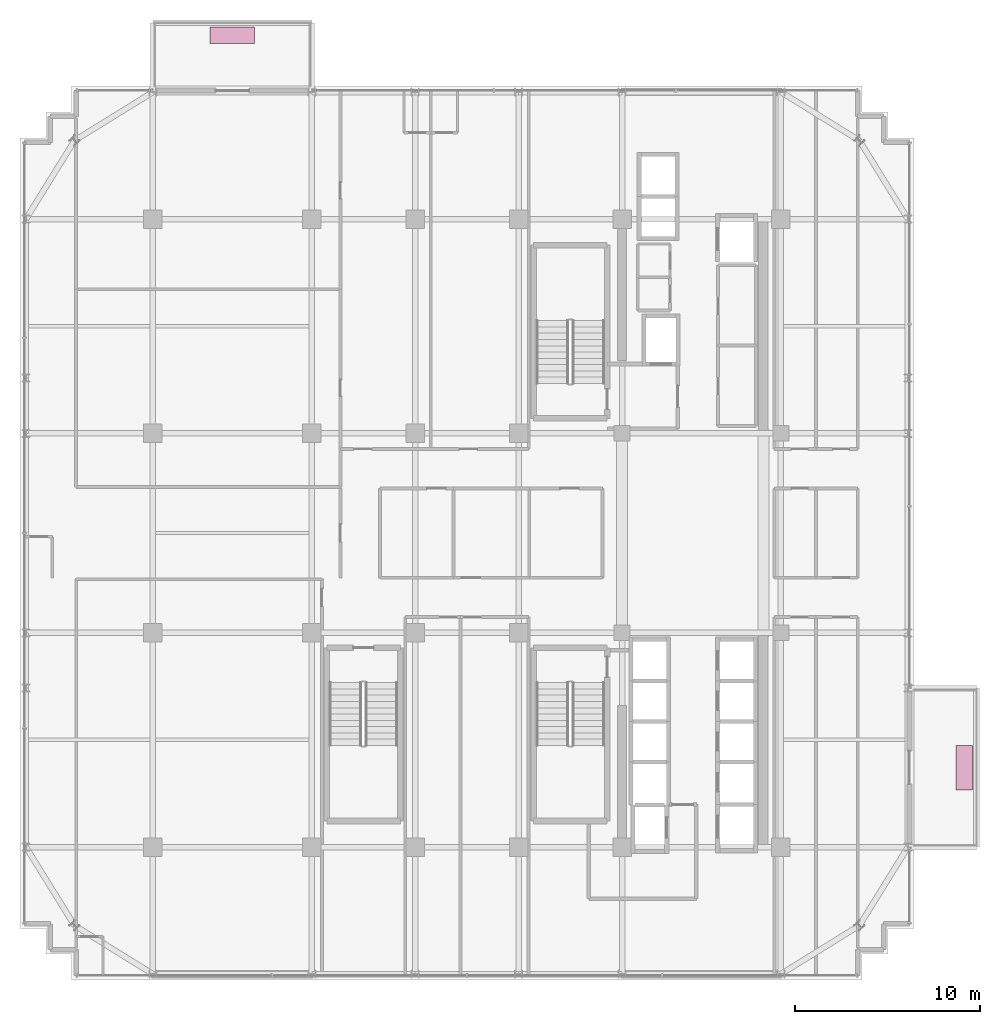
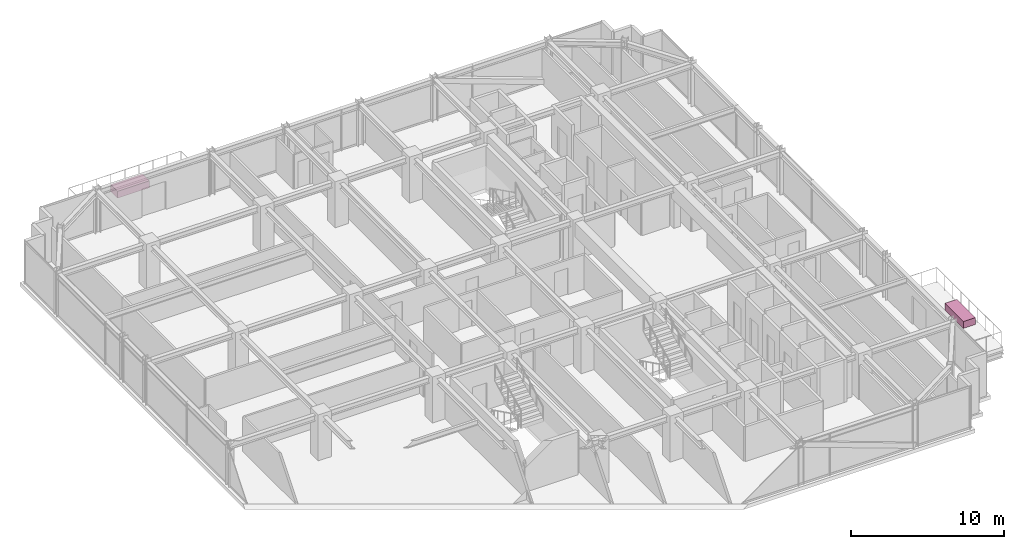
# One storey, part 36 of 36: 2 furnishings.
"""IFC4 building model written with IfcOpenShell, lengths in metres."""

import ifcopenshell
import ifcopenshell.guid

model = None  # the IFC model being written
_history = None  # IfcOwnerHistory: only IFC2X3 demands one
_inside = {}  # id of a spatial element -> (the spatial element, [elements in it])
_under = {}  # id of a project, library or spatial element -> (it, [spatial elements below it])
_declared = {}  # id of a project -> (the project, [libraries it declares])
_typed = {}  # id of a type object -> (the type object, [elements of that type])
_made_of = {}  # id of a material, layer set ... -> (it, [elements and type objects made of it])


def new_model(schema):
    """Start an empty IFC model of exactly this schema.

    Asked for "IFC4X3", IfcOpenShell would pick the latest addendum, in which some entities
    have other attributes; the version numbers below select the first issue.
    IFC2X3 requires an IfcOwnerHistory on every rooted entity: one is made here for all.
    """
    global model, _history
    if schema == "IFC4X3":
        model = ifcopenshell.file(schema_version=(4, 3, 0, 0))
    else:
        model = ifcopenshell.file(schema=schema)
    _inside.clear()
    _under.clear()
    _declared.clear()
    _typed.clear()
    _made_of.clear()
    _history = None
    if model.schema == "IFC2X3":
        org = make("IfcOrganization", Name="unknown")
        user = make(
            "IfcPersonAndOrganization",
            ThePerson=make("IfcPerson", FamilyName="unknown"),
            TheOrganization=org,
        )
        app = make(
            "IfcApplication",
            ApplicationDeveloper=org,
            Version="unknown",
            ApplicationFullName="unknown",
            ApplicationIdentifier="unknown",
        )
        _history = make(
            "IfcOwnerHistory",
            OwningUser=user,
            OwningApplication=app,
            ChangeAction="ADDED",
            CreationDate=0,
        )
    return model


def make(cls, **values):
    """One entity of the class cls with the attributes given. An attribute that is None is left unset."""
    return model.create_entity(
        cls, **{name: value for name, value in values.items() if value is not None}
    )


def rooted(cls, **values):
    """An entity with a GlobalId (a new one), such as an element, a storey or a relation."""
    return make(cls, GlobalId=ifcopenshell.guid.new(), OwnerHistory=_history, **values)


def si_unit(unit_type, name, prefix=None):
    """IfcSIUnit, for example si_unit("LENGTHUNIT", "METRE", prefix="MILLI")."""
    return make("IfcSIUnit", UnitType=unit_type, Prefix=prefix, Name=name)


def assignment(units):
    """IfcUnitAssignment: the units of a project."""
    return None if units is None else make("IfcUnitAssignment", Units=units)


def point(xyz):
    """IfcCartesianPoint."""
    return None if xyz is None else make("IfcCartesianPoint", Coordinates=xyz)


def direction(xyz):
    """IfcDirection."""
    return None if xyz is None else make("IfcDirection", DirectionRatios=xyz)


def frame(location, z_axis=None, x_axis=None):
    """IfcAxis2Placement3D, a coordinate frame: its origin and axes. An axis left out is left unset."""
    return make(
        "IfcAxis2Placement3D",
        Location=point(location),
        Axis=direction(z_axis),
        RefDirection=direction(x_axis),
    )


def frame_2d(location, x_axis=None):
    """IfcAxis2Placement2D, a coordinate frame in the plane: its origin and x axis."""
    return make(
        "IfcAxis2Placement2D", Location=point(location), RefDirection=direction(x_axis)
    )


def origin():
    """The frame at (0, 0, 0) with its axes left unset."""
    return frame((0.0, 0.0, 0.0))


def origin_2d():
    """The frame at (0, 0) in the plane with its x axis left unset."""
    return frame_2d((0.0, 0.0))


def place(relative_to, where):
    """IfcLocalPlacement: puts the frame where relative to a parent placement (None: the world)."""
    return make(
        "IfcLocalPlacement", PlacementRelTo=relative_to, RelativePlacement=where
    )


def context(
    kind, dimensions, precision=None, world=None, true_north=None, identifier=None
):
    """IfcGeometricRepresentationContext, for example the 3D "Model" context."""
    return make(
        "IfcGeometricRepresentationContext",
        ContextIdentifier=identifier,
        ContextType=kind,
        CoordinateSpaceDimension=dimensions,
        Precision=precision,
        WorldCoordinateSystem=world,
        TrueNorth=true_north,
    )


def subcontext(parent, identifier, kind, view, scale=None):
    """IfcGeometricRepresentationSubContext, for example "Body" below "Model"."""
    return make(
        "IfcGeometricRepresentationSubContext",
        ContextIdentifier=identifier,
        ContextType=kind,
        ParentContext=parent,
        TargetScale=scale,
        TargetView=view,
    )


def project(units=None, contexts=None):
    """IfcProject with its units and contexts."""
    return rooted(
        "IfcProject",
        Name="project",
        RepresentationContexts=contexts,
        UnitsInContext=assignment(units),
    )


def spatial(cls, under=None, at=None, **own):
    """A site, building, storey or space (cls), placed at a placement, below another one or the project."""
    s = rooted(cls, ObjectPlacement=at, **own)
    if under is not None:
        _under.setdefault(under.id(), (under, []))[1].append(s)
    return s


def profile(cls, at=None, kind="AREA", **sizes):
    """A parametric profile (cls). Its sizes go by their IFC names, for example OverallWidth=200.0."""
    return make(cls, ProfileType=kind, Position=at, **sizes)


def rectangle(**sizes):
    """IfcRectangleProfileDef."""
    return profile("IfcRectangleProfileDef", **sizes)


def extrude(swept, where, along, depth):
    """IfcExtrudedAreaSolid: the profile swept, set in the frame where, extruded along a direction by depth."""
    return make(
        "IfcExtrudedAreaSolid",
        SweptArea=swept,
        Position=where,
        ExtrudedDirection=direction(along),
        Depth=depth,
    )


def shape(context_of_items, identifier, shape_type, items):
    """IfcShapeRepresentation: the items that make up one representation, for example the "Body"."""
    return make(
        "IfcShapeRepresentation",
        ContextOfItems=context_of_items,
        RepresentationIdentifier=identifier,
        RepresentationType=shape_type,
        Items=items,
    )


def source(mapping_origin, context_of_items, identifier, shape_type, items):
    """IfcRepresentationMap: a shape defined once, which mapped items show again and again."""
    return make(
        "IfcRepresentationMap",
        MappingOrigin=mapping_origin,
        MappedRepresentation=shape(context_of_items, identifier, shape_type, items),
    )


def transform(
    local_origin,
    x_axis=None,
    y_axis=None,
    z_axis=None,
    scale=None,
    scale2=None,
    scale3=None,
    uniform=True,
):
    """IfcCartesianTransformationOperator3D, or its non-uniform kind. x_axis, y_axis, z_axis: its Axis1, 2, 3."""
    if uniform:
        return make(
            "IfcCartesianTransformationOperator3D",
            Axis1=direction(x_axis),
            Axis2=direction(y_axis),
            LocalOrigin=point(local_origin),
            Scale=scale,
            Axis3=direction(z_axis),
        )
    return make(
        "IfcCartesianTransformationOperator3DnonUniform",
        Axis1=direction(x_axis),
        Axis2=direction(y_axis),
        LocalOrigin=point(local_origin),
        Scale=scale,
        Axis3=direction(z_axis),
        Scale2=scale2,
        Scale3=scale3,
    )


def mapped(mapping_source, mapping_target):
    """IfcMappedItem: shows the shape of a source again, moved by a transform."""
    return make(
        "IfcMappedItem", MappingSource=mapping_source, MappingTarget=mapping_target
    )


def material(Name=None, Category=None):
    """IfcMaterial."""
    return make("IfcMaterial", Name=Name, Category=Category)


def made_of(thing, what):
    """Note that an element or type object is made of a material, layer set ...; save() writes the relation."""
    if what is not None:
        _made_of.setdefault(what.id(), (what, []))[1].append(thing)
    return thing


def type_object(cls, material=None, **own):
    """A type object (cls), such as IfcWallType, which elements share."""
    return made_of(rooted(cls, **own), material)


def element(
    cls,
    number,
    at=None,
    inside=None,
    cuts=None,
    type_object=None,
    material=None,
    context=None,
    identifier="Body",
    shape_type=None,
    held_by="IfcProductDefinitionShape",
    body=None,
    shapes=None,
    **own,
):
    """One element of the class cls, such as IfcWall. Its Tag is "e" and its number.

    at: its placement. inside: the storey or other place that contains it. cuts: it is an
    opening in that element (IfcRelVoidsElement). A single representation is given by context,
    identifier, shape_type and body (its items); several are given by shapes. held_by: the class
    of the entity that holds the representations. save() writes the other relations.
    """
    e = rooted(cls, Tag="e%d" % number, ObjectPlacement=at, **own)
    if body is not None:
        shapes = [shape(context, identifier, shape_type, body)]
    if shapes is not None:
        e.Representation = make(held_by, Representations=shapes)
    if inside is not None:
        _inside.setdefault(inside.id(), (inside, []))[1].append(e)
    if cuts is not None:
        rooted(
            "IfcRelVoidsElement", RelatingBuildingElement=cuts, RelatedOpeningElement=e
        )
    if type_object is not None:
        _typed.setdefault(type_object.id(), (type_object, []))[1].append(e)
    return made_of(e, material)


def aggregate(whole, parts):
    """IfcRelAggregates: a whole, such as a stair, and the parts it consists of."""
    return rooted("IfcRelAggregates", RelatingObject=whole, RelatedObjects=parts)


def save(model, path):
    """Write the relations noted so far, then the file.

    IfcRelAggregates (storeys below a building ...), IfcRelContainedInSpatialStructure (elements
    in a storey), IfcRelDefinesByType, IfcRelAssociatesMaterial and IfcRelDeclares: one each for
    every whole, place, type object, material and project.
    """
    for whole, parts in _under.values():
        aggregate(whole, parts)
    for where, things in _inside.values():
        rooted(
            "IfcRelContainedInSpatialStructure",
            RelatedElements=things,
            RelatingStructure=where,
        )
    for kind, things in _typed.values():
        rooted("IfcRelDefinesByType", RelatedObjects=things, RelatingType=kind)
    for what, things in _made_of.values():
        rooted("IfcRelAssociatesMaterial", RelatedObjects=things, RelatingMaterial=what)
    for by, libraries in _declared.values():
        rooted("IfcRelDeclares", RelatingContext=by, RelatedDefinitions=libraries)
    model.write(path)


model = new_model("IFC4")

# Units and contexts
model_context = context("Model", 3, precision=1e-05, world=origin(), true_north=direction((0.0, 1.0)))
body_context = subcontext(model_context, "Body", "Model", "MODEL_VIEW")
ifc_project = project(units=[si_unit("LENGTHUNIT", "METRE"), si_unit("AREAUNIT", "SQUARE_METRE"), si_unit("VOLUMEUNIT", "CUBIC_METRE"), si_unit("PLANEANGLEUNIT", "RADIAN"), si_unit("MASSUNIT", "GRAM", prefix="KILO")], contexts=[model_context])

# Site, building, storey
site_placement = place(None, origin())
site = spatial("IfcSite", under=ifc_project, at=site_placement, CompositionType="ELEMENT")
building_placement = place(site_placement, origin())
building = spatial("IfcBuilding", under=site, at=building_placement, Name="Nahalor Promenade Grand Hotel", CompositionType="ELEMENT")
storey_placement = place(building_placement, frame((0.0, 0.0, 219.699951171875)))
storey = spatial("IfcBuildingStorey", under=building, at=storey_placement, Name="L56", CompositionType="ELEMENT", Elevation=219.699951171875)

# Furnishings
ifc_material = material(Name="Vegetated Volcanic-Lapilli Tree Planter", Category="earth")
furnishing_element_type = type_object("IfcFurnishingElementType", Name="Planter-VerticalForest-Box", material=ifc_material)
shared_shape = source(origin(), body_context, "Body", "SweptSolid", [
    extrude(rectangle(XDim=2.39990234375, YDim=0.89990234375, at=origin_2d()), origin(), (0.0, 0.0, 1.0), 0.550048828125),
])
for number, where, z_axis, x_axis, name in (
    (1, (-12.699951171875, 26.9599609375, 0.0), (0.0, 0.0, 1.0), (1.0, 0.0, 0.0), "L56 Balcony Structural Tree Planter 1"),
    (2, (26.919921875, -12.699951171875, 0.0), (0.0, 0.0, 1.0), (0.0, 1.0, 0.0), "L56 Balcony Structural Tree Planter 2"),
):
    element("IfcFurnishingElement", number, at=place(storey_placement, frame(where, z_axis=z_axis, x_axis=x_axis)), inside=storey, type_object=furnishing_element_type, Name=name, ObjectType="PLANTER", context=body_context, shape_type="MappedRepresentation", body=[
        mapped(shared_shape, transform((0.0, 0.0, 0.0), scale=1.0)),
    ])

save(model, "model.ifc")
